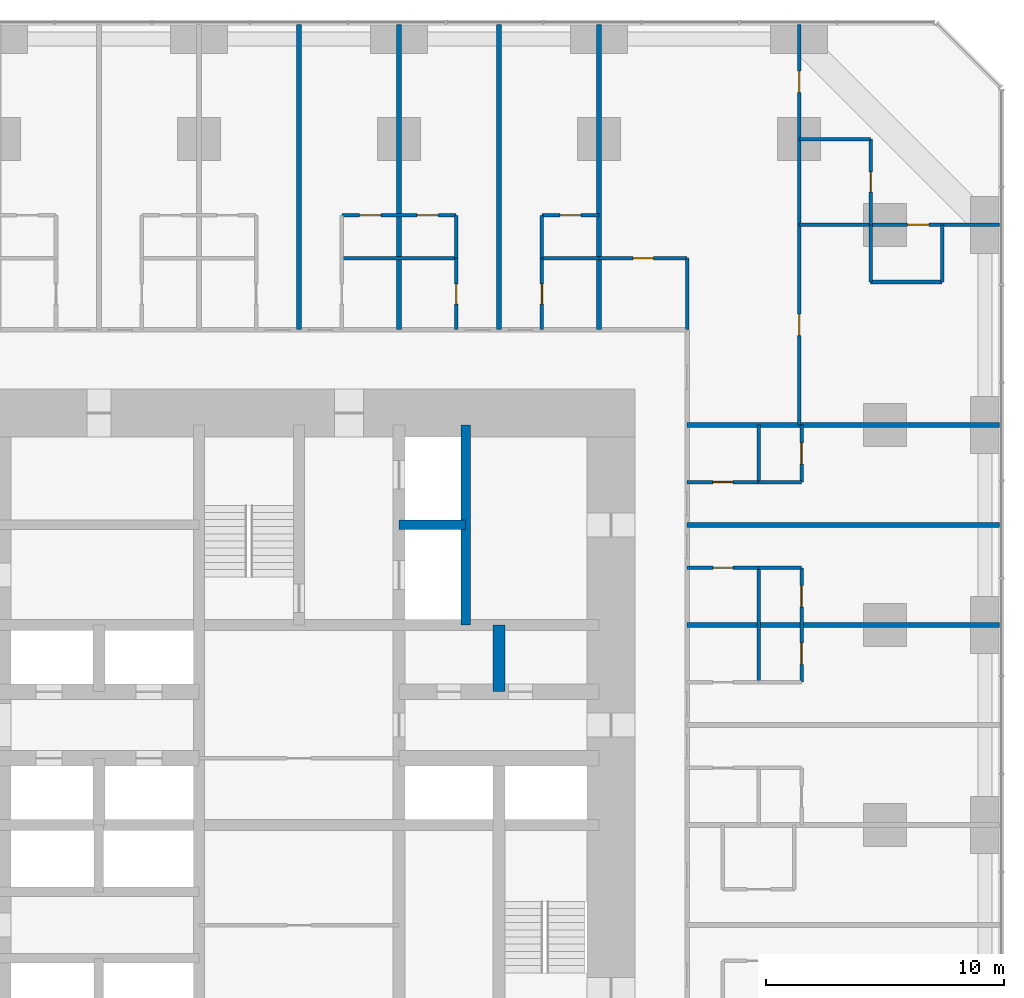
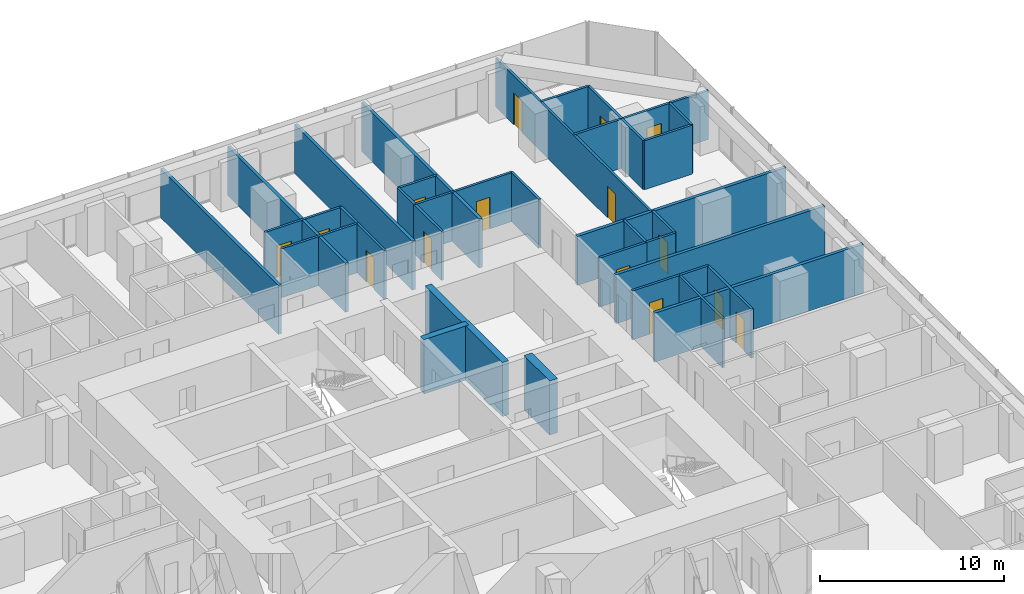
# One storey, part 16 of 18: 35 walls, 15 doors, 15 openings.
"""IFC4 building model written with IfcOpenShell, lengths in metres."""

from ifc_helpers import new_model, si_unit, direction, frame, frame_2d, origin, place, context, subcontext, project, spatial, rectangle, extrude, material, layer, layer_set, type_object, element, fill, save


model = new_model("IFC4")

# Units and contexts
model_context = context("Model", 3, precision=1e-05, world=origin(), true_north=direction((0.0, 1.0)))
body_context = subcontext(model_context, "Body", "Model", "MODEL_VIEW")
ifc_project = project(units=[si_unit("LENGTHUNIT", "METRE"), si_unit("AREAUNIT", "SQUARE_METRE"), si_unit("VOLUMEUNIT", "CUBIC_METRE"), si_unit("PLANEANGLEUNIT", "RADIAN"), si_unit("MASSUNIT", "GRAM", prefix="KILO")], contexts=[model_context])

# Site, building, storey
site_placement = place(None, origin())
site = spatial("IfcSite", under=ifc_project, at=site_placement, CompositionType="ELEMENT")
building_placement = place(site_placement, origin())
building = spatial("IfcBuilding", under=site, at=building_placement, Name="Dunama Terrace Hotel", CompositionType="ELEMENT")
storey_placement = place(building_placement, frame((0.0, 0.0, 27.0)))
storey = spatial("IfcBuildingStorey", under=building, at=storey_placement, Name="L05", CompositionType="ELEMENT", Elevation=27.0)

# Wall, opening, door
ifc_material_1 = material(Name="Gypsum board partition", Category="masonry")
ifc_layer_1 = layer(ifc_material_1, 0.14990234375)
ifc_layer_set_1 = layer_set([ifc_layer_1], Name="Bathroom partition 150")
wall_type_1 = type_object("IfcWallType", Name="Bathroom partition 150", PredefinedType="PARTITIONING", material=ifc_layer_set_1)
wall_1_placement = place(storey_placement, frame((36.0, 46.0, 0.0), z_axis=(0.0, 0.0, 1.0), x_axis=(0.0, 1.0, 0.0)))
wall_1 = element("IfcWall", 1, at=wall_1_placement, inside=storey, type_object=wall_type_1, Name="Bathroom partition 150 L05", PredefinedType="PARTITIONING", context=body_context, shape_type="SweptSolid", body=[
    extrude(rectangle(XDim=3.0, YDim=0.14990234375, at=frame_2d((1.5, 0.0))), origin(), (0.0, 0.0, 1.0), 3.25),
])
opening_1_placement = place(wall_1_placement, frame((1.074951171875, 0.0, 0.0)))
opening_1 = element("IfcOpeningElement", 2, at=opening_1_placement, cuts=wall_1, Name="Opening L05-056", PredefinedType="OPENING", context=body_context, shape_type="SweptSolid", body=[
    extrude(rectangle(XDim=0.85009765625, YDim=2.10009765625, at=frame_2d((0.425048828125, 1.050048828125))), frame((0.0, 0.0849609375, 0.0), z_axis=(0.0, -1.0, 0.0), x_axis=(1.0, 0.0, 0.0)), (0.0, 0.0, 1.0), 0.169921875),
])
ifc_material_2 = material(Name="Timber door with steel frame", Category="steel")
door_type_1 = type_object("IfcDoorType", Name="Bathroom door 850", OperationType="SINGLE_SWING_LEFT", PredefinedType="DOOR", material=ifc_material_2)
door_1_placement = place(opening_1_placement, origin())
door_1 = element("IfcDoor", 3, at=door_1_placement, inside=storey, type_object=door_type_1, Name="Door to en-suite bathroom L05-056, type D2", OperationType="SINGLE_SWING_LEFT", OverallHeight=2.10009765625, OverallWidth=0.85009765625, PredefinedType="DOOR", context=body_context, shape_type="SweptSolid", body=[
    extrude(rectangle(XDim=0.85009765625, YDim=2.10009765625, at=frame_2d((0.425048828125, 1.050048828125))), frame((0.0, 0.02490234375, 0.0), z_axis=(0.0, -1.0, 0.0), x_axis=(1.0, 0.0, 0.0)), (0.0, 0.0, 1.0), 0.050048828125),
])
fill(opening_1, door_1)

wall_2_placement = place(storey_placement, frame((39.60009765625, 46.0, 0.0), z_axis=(0.0, 0.0, 1.0), x_axis=(0.0, 1.0, 0.0)))
wall_2 = element("IfcWall", 4, at=wall_2_placement, inside=storey, type_object=wall_type_1, Name="Bathroom partition 150 L05", PredefinedType="PARTITIONING", context=body_context, shape_type="SweptSolid", body=[
    extrude(rectangle(XDim=3.0, YDim=0.14990234375, at=frame_2d((1.5, 0.0))), origin(), (0.0, 0.0, 1.0), 3.25),
])
opening_2_placement = place(wall_2_placement, frame((1.074951171875, 0.0, 0.0)))
opening_2 = element("IfcOpeningElement", 5, at=opening_2_placement, cuts=wall_2, Name="Opening L05-059", PredefinedType="OPENING", context=body_context, shape_type="SweptSolid", body=[
    extrude(rectangle(XDim=0.85009765625, YDim=2.10009765625, at=frame_2d((0.425048828125, 1.050048828125))), frame((0.0, 0.0849609375, 0.0), z_axis=(0.0, -1.0, 0.0), x_axis=(1.0, 0.0, 0.0)), (0.0, 0.0, 1.0), 0.169921875),
])
door_2_placement = place(opening_2_placement, frame((0.85009765625, 0.0, 0.0), z_axis=(0.0, 0.0, 1.0), x_axis=(-1.0, 0.0, 0.0)))
door_2 = element("IfcDoor", 6, at=door_2_placement, inside=storey, type_object=door_type_1, Name="Door to en-suite bathroom L05-059, type D2", OperationType="SINGLE_SWING_RIGHT", OverallHeight=2.10009765625, OverallWidth=0.85009765625, PredefinedType="DOOR", context=body_context, shape_type="SweptSolid", body=[
    extrude(rectangle(XDim=0.85009765625, YDim=2.10009765625, at=frame_2d((0.425048828125, 1.050048828125))), frame((0.0, 0.025146484375, 0.0), z_axis=(0.0, -1.0, 0.0), x_axis=(1.0, 0.0, 0.0)), (0.0, 0.0, 1.0), 0.050048828125),
])
fill(opening_2, door_2)

# Wall
wall_3_placement = place(storey_placement, frame((45.699951171875, 46.0, 0.0), z_axis=(0.0, 0.0, 1.0), x_axis=(0.0, 1.0, 0.0)))
element("IfcWall", 7, at=wall_3_placement, inside=storey, type_object=wall_type_1, Name="Bathroom partition 150 L05", PredefinedType="PARTITIONING", context=body_context, shape_type="SweptSolid", body=[
    extrude(rectangle(XDim=3.0, YDim=0.14990234375, at=frame_2d((1.5, 0.0))), origin(), (0.0, 0.0, 1.0), 3.25),
])

# Wall, opening, door
wall_4_placement = place(storey_placement, frame((53.39990234375, 50.39990234375, 0.0), z_axis=(0.0, 0.0, 1.0), x_axis=(0.0, 1.0, 0.0)))
wall_4 = element("IfcWall", 8, at=wall_4_placement, inside=storey, type_object=wall_type_1, Name="Bathroom partition 150 L05", PredefinedType="PARTITIONING", context=body_context, shape_type="SweptSolid", body=[
    extrude(rectangle(XDim=3.60009765625, YDim=0.14990234375, at=frame_2d((1.800048828125, 0.0))), origin(), (0.0, 0.0, 1.0), 3.25),
])
opening_3_placement = place(wall_4_placement, frame((1.375, 0.0, 0.0)))
opening_3 = element("IfcOpeningElement", 9, at=opening_3_placement, cuts=wall_4, Name="Opening L05-089", PredefinedType="OPENING", context=body_context, shape_type="SweptSolid", body=[
    extrude(rectangle(XDim=0.85009765625, YDim=2.10009765625, at=frame_2d((0.425048828125, 1.050048828125))), frame((0.0, 0.0849609375, 0.0), z_axis=(0.0, -1.0, 0.0), x_axis=(1.0, 0.0, 0.0)), (0.0, 0.0, 1.0), 0.169921875),
])
door_3_placement = place(opening_3_placement, origin())
door_3 = element("IfcDoor", 10, at=door_3_placement, inside=storey, type_object=door_type_1, Name="Door to en-suite bathroom L05-089, type D2", OperationType="SINGLE_SWING_LEFT", OverallHeight=2.10009765625, OverallWidth=0.85009765625, PredefinedType="DOOR", context=body_context, shape_type="SweptSolid", body=[
    extrude(rectangle(XDim=0.85009765625, YDim=2.10009765625, at=frame_2d((0.425048828125, 1.050048828125))), frame((0.0, 0.02490234375, 0.0), z_axis=(0.0, -1.0, 0.0), x_axis=(1.0, 0.0, 0.0)), (0.0, 0.0, 1.0), 0.050048828125),
])
fill(opening_3, door_3)

wall_5_placement = place(storey_placement, frame((45.699951171875, 36.0, 0.0), z_axis=(0.0, 0.0, 1.0), x_axis=(1.0, 0.0, 0.0)))
wall_5 = element("IfcWall", 11, at=wall_5_placement, inside=storey, type_object=wall_type_1, Name="Bathroom partition 150 L05", PredefinedType="PARTITIONING", context=body_context, shape_type="SweptSolid", body=[
    extrude(rectangle(XDim=3.0, YDim=0.14990234375, at=frame_2d((1.5, 0.0))), origin(), (0.0, 0.0, 1.0), 3.25),
])
opening_4_placement = place(wall_5_placement, frame((1.074951171875, 0.0, 0.0)))
opening_4 = element("IfcOpeningElement", 12, at=opening_4_placement, cuts=wall_5, Name="Opening L05-038", PredefinedType="OPENING", context=body_context, shape_type="SweptSolid", body=[
    extrude(rectangle(XDim=0.85009765625, YDim=2.10009765625, at=frame_2d((0.425048828125, 1.050048828125))), frame((0.0, 0.0849609375, 0.0), z_axis=(0.0, -1.0, 0.0), x_axis=(1.0, 0.0, 0.0)), (0.0, 0.0, 1.0), 0.169921875),
])
door_4_placement = place(opening_4_placement, frame((0.85009765625, 0.0, 0.0), z_axis=(0.0, 0.0, 1.0), x_axis=(-1.0, 0.0, 0.0)))
door_4 = element("IfcDoor", 13, at=door_4_placement, inside=storey, type_object=door_type_1, Name="Door to en-suite bathroom L05-038, type D2", OperationType="SINGLE_SWING_RIGHT", OverallHeight=2.10009765625, OverallWidth=0.85009765625, PredefinedType="DOOR", context=body_context, shape_type="SweptSolid", body=[
    extrude(rectangle(XDim=0.85009765625, YDim=2.10009765625, at=frame_2d((0.425048828125, 1.050048828125))), frame((0.0, 0.025146484375, 0.0), z_axis=(0.0, -1.0, 0.0), x_axis=(1.0, 0.0, 0.0)), (0.0, 0.0, 1.0), 0.050048828125),
])
fill(opening_4, door_4)

wall_6_placement = place(storey_placement, frame((45.699951171875, 39.60009765625, 0.0), z_axis=(0.0, 0.0, 1.0), x_axis=(1.0, 0.0, 0.0)))
wall_6 = element("IfcWall", 14, at=wall_6_placement, inside=storey, type_object=wall_type_1, Name="Bathroom partition 150 L05", PredefinedType="PARTITIONING", context=body_context, shape_type="SweptSolid", body=[
    extrude(rectangle(XDim=3.0, YDim=0.14990234375, at=frame_2d((1.5, 0.0))), origin(), (0.0, 0.0, 1.0), 3.25),
])
opening_5_placement = place(wall_6_placement, frame((1.074951171875, 0.0, 0.0)))
opening_5 = element("IfcOpeningElement", 15, at=opening_5_placement, cuts=wall_6, Name="Opening L05-041", PredefinedType="OPENING", context=body_context, shape_type="SweptSolid", body=[
    extrude(rectangle(XDim=0.85009765625, YDim=2.10009765625, at=frame_2d((0.425048828125, 1.050048828125))), frame((0.0, 0.0849609375, 0.0), z_axis=(0.0, -1.0, 0.0), x_axis=(1.0, 0.0, 0.0)), (0.0, 0.0, 1.0), 0.169921875),
])
door_5_placement = place(opening_5_placement, origin())
door_5 = element("IfcDoor", 16, at=door_5_placement, inside=storey, type_object=door_type_1, Name="Door to en-suite bathroom L05-041, type D2", OperationType="SINGLE_SWING_LEFT", OverallHeight=2.10009765625, OverallWidth=0.85009765625, PredefinedType="DOOR", context=body_context, shape_type="SweptSolid", body=[
    extrude(rectangle(XDim=0.85009765625, YDim=2.10009765625, at=frame_2d((0.425048828125, 1.050048828125))), frame((0.0, 0.02490234375, 0.0), z_axis=(0.0, -1.0, 0.0), x_axis=(1.0, 0.0, 0.0)), (0.0, 0.0, 1.0), 0.050048828125),
])
fill(opening_5, door_5)

wall_7_placement = place(storey_placement, frame((42.0, 49.0, 0.0), z_axis=(0.0, 0.0, 1.0), x_axis=(1.0, 0.0, 0.0)))
wall_7 = element("IfcWall", 17, at=wall_7_placement, inside=storey, type_object=wall_type_1, Name="Bathroom partition 150 L05", PredefinedType="PARTITIONING", context=body_context, shape_type="SweptSolid", body=[
    extrude(rectangle(XDim=3.699951171875, YDim=0.14990234375, at=frame_2d((1.85009765625, 0.0))), origin(), (0.0, 0.0, 1.0), 3.25),
])
opening_6_placement = place(wall_7_placement, frame((1.425048828125, 0.0, 0.0)))
opening_6 = element("IfcOpeningElement", 18, at=opening_6_placement, cuts=wall_7, Name="Opening L05-087", PredefinedType="OPENING", context=body_context, shape_type="SweptSolid", body=[
    extrude(rectangle(XDim=0.85009765625, YDim=2.10009765625, at=frame_2d((0.425048828125, 1.050048828125))), frame((0.0, 0.0849609375, 0.0), z_axis=(0.0, -1.0, 0.0), x_axis=(1.0, 0.0, 0.0)), (0.0, 0.0, 1.0), 0.169921875),
])
door_6_placement = place(opening_6_placement, frame((0.85009765625, 0.0, 0.0), z_axis=(0.0, 0.0, 1.0), x_axis=(-1.0, 0.0, 0.0)))
door_6 = element("IfcDoor", 19, at=door_6_placement, inside=storey, type_object=door_type_1, Name="Door to powder room L05-087, type D2", OperationType="SINGLE_SWING_RIGHT", OverallHeight=2.10009765625, OverallWidth=0.85009765625, PredefinedType="DOOR", context=body_context, shape_type="SweptSolid", body=[
    extrude(rectangle(XDim=0.85009765625, YDim=2.10009765625, at=frame_2d((0.425048828125, 1.050048828125))), frame((0.0, 0.025146484375, 0.0), z_axis=(0.0, -1.0, 0.0), x_axis=(1.0, 0.0, 0.0)), (0.0, 0.0, 1.0), 0.050048828125),
])
fill(opening_6, door_6)

# Walls
wall_8_placement = place(storey_placement, frame((50.39990234375, 54.0, 0.0), z_axis=(0.0, 0.0, 1.0), x_axis=(1.0, 0.0, 0.0)))
element("IfcWall", 20, at=wall_8_placement, inside=storey, type_object=wall_type_1, Name="Bathroom partition 150 L05", PredefinedType="PARTITIONING", context=body_context, shape_type="SweptSolid", body=[
    extrude(rectangle(XDim=3.0, YDim=0.14990234375, at=frame_2d((1.5, 0.0))), origin(), (0.0, 0.0, 1.0), 3.25),
])
ifc_material_3 = material(Name="Concrete C50/60", Category="concrete")
ifc_layer_2 = layer(ifc_material_3, 0.39990234375)
ifc_layer_set_2 = layer_set([ifc_layer_2], Name="Core inner wall 400")
wall_type_2 = type_object("IfcWallType", Name="Core inner wall 400", PredefinedType="SHEAR", material=ifc_layer_set_2)
wall_9_placement = place(storey_placement, frame((36.39990234375, 33.60009765625, -0.35009765625), z_axis=(0.0, 0.0, 1.0), x_axis=(0.0, 1.0, 0.0)))
element("IfcWall", 21, at=wall_9_placement, inside=storey, type_object=wall_type_2, Name="Core inner wall 400 L05", PredefinedType="SHEAR", context=body_context, shape_type="SweptSolid", body=[
    extrude(rectangle(XDim=8.39990234375, YDim=0.39990234375, at=frame_2d((4.199951171875, 0.0))), origin(), (0.0, 0.0, 1.0), 3.60009765625),
])
wall_10_placement = place(storey_placement, frame((33.60009765625, 37.800048828125, -0.35009765625), z_axis=(0.0, 0.0, 1.0), x_axis=(1.0, 0.0, 0.0)))
element("IfcWall", 22, at=wall_10_placement, inside=storey, type_object=wall_type_2, Name="Core inner wall 400 L05", PredefinedType="SHEAR", context=body_context, shape_type="SweptSolid", body=[
    extrude(rectangle(XDim=2.7998046875, YDim=0.39990234375, at=frame_2d((1.39990234375, 0.0))), origin(), (0.0, 0.0, 1.0), 3.60009765625),
])
ifc_material_4 = material(Name="Concrete C50/60", Category="concrete")
ifc_layer_3 = layer(ifc_material_4, 0.5)
ifc_layer_set_3 = layer_set([ifc_layer_3], Name="Core inner wall 500")
wall_type_3 = type_object("IfcWallType", Name="Core inner wall 500", PredefinedType="SHEAR", material=ifc_layer_set_3)
wall_11_placement = place(storey_placement, frame((37.800048828125, 30.800048828125, -0.35009765625), z_axis=(0.0, 0.0, 1.0), x_axis=(0.0, 1.0, 0.0)))
element("IfcWall", 23, at=wall_11_placement, inside=storey, type_object=wall_type_3, Name="Core inner wall 500 L05", PredefinedType="SHEAR", context=body_context, shape_type="SweptSolid", body=[
    extrude(rectangle(XDim=2.800048828125, YDim=0.5, at=frame_2d((1.39990234375, 0.0))), origin(), (0.0, 0.0, 1.0), 3.60009765625),
])
ifc_material_5 = material(Name="Concrete blockwork", Category="masonry")
ifc_layer_4 = layer(ifc_material_5, 0.199951171875)
ifc_layer_set_4 = layer_set([ifc_layer_4], Name="Party wall 200")
wall_type_4 = type_object("IfcWallType", Name="Party wall 200", PredefinedType="PARTITIONING", material=ifc_layer_set_4)
for number, where, z_axis, x_axis, name in (
    (24, (29.39990234375, 46.0, 0.0), (0.0, 0.0, 1.0), (0.0, 1.0, 0.0), "Party wall 200 L05"),
    (25, (33.60009765625, 46.0, 0.0), (0.0, 0.0, 1.0), (0.0, 1.0, 0.0), "Party wall 200 L05"),
    (26, (37.800048828125, 46.0, 0.0), (0.0, 0.0, 1.0), (0.0, 1.0, 0.0), "Party wall 200 L05"),
    (27, (42.0, 46.0, 0.0), (0.0, 0.0, 1.0), (0.0, 1.0, 0.0), "Party wall 200 L05"),
):
    element("IfcWall", number, at=place(storey_placement, frame(where, z_axis=z_axis, x_axis=x_axis)), inside=storey, type_object=wall_type_4, Name=name, PredefinedType="PARTITIONING", context=body_context, shape_type="SweptSolid", body=[
        extrude(rectangle(XDim=12.80810546875, YDim=0.199951171875, at=frame_2d((6.404052734375, 0.0))), origin(), (0.0, 0.0, 1.0), 3.25),
    ])
for number, where, z_axis, x_axis, name in (
    (28, (45.699951171875, 33.60009765625, 0.0), (0.0, 0.0, 1.0), (1.0, 0.0, 0.0), "Party wall 200 L05"),
    (29, (45.699951171875, 37.800048828125, 0.0), (0.0, 0.0, 1.0), (1.0, 0.0, 0.0), "Party wall 200 L05"),
    (30, (45.699951171875, 42.0, 0.0), (0.0, 0.0, 1.0), (1.0, 0.0, 0.0), "Party wall 200 L05"),
):
    element("IfcWall", number, at=place(storey_placement, frame(where, z_axis=z_axis, x_axis=x_axis)), inside=storey, type_object=wall_type_4, Name=name, PredefinedType="PARTITIONING", context=body_context, shape_type="SweptSolid", body=[
        extrude(rectangle(XDim=13.108154296875, YDim=0.199951171875, at=frame_2d((6.55419921875, 0.0))), origin(), (0.0, 0.0, 1.0), 3.25),
    ])
ifc_material_6 = material(Name="Gypsum board partition", Category="masonry")
ifc_layer_5 = layer(ifc_material_6, 0.14990234375)
ifc_layer_set_5 = layer_set([ifc_layer_5], Name="Room partition 150")
wall_type_5 = type_object("IfcWallType", Name="Room partition 150", PredefinedType="PARTITIONING", material=ifc_layer_set_5)
for number, where, z_axis, x_axis, name in (
    (31, (36.0, 49.0, 0.0), (0.0, 0.0, 1.0), (0.0, 1.0, 0.0), "Room partition 150 L05"),
    (32, (39.60009765625, 49.0, 0.0), (0.0, 0.0, 1.0), (0.0, 1.0, 0.0), "Room partition 150 L05"),
):
    element("IfcWall", number, at=place(storey_placement, frame(where, z_axis=z_axis, x_axis=x_axis)), inside=storey, type_object=wall_type_5, Name=name, PredefinedType="PARTITIONING", context=body_context, shape_type="SweptSolid", body=[
        extrude(rectangle(XDim=1.800048828125, YDim=0.14990234375, at=frame_2d((0.89990234375, 0.0))), origin(), (0.0, 0.0, 1.0), 3.25),
    ])
wall_12_placement = place(storey_placement, frame((48.699951171875, 31.199951171875, 0.0), z_axis=(0.0, 0.0, 1.0), x_axis=(0.0, 1.0, 0.0)))
element("IfcWall", 33, at=wall_12_placement, inside=storey, type_object=wall_type_5, Name="Room partition 150 L05", PredefinedType="PARTITIONING", context=body_context, shape_type="SweptSolid", body=[
    extrude(rectangle(XDim=4.800048828125, YDim=0.14990234375, at=frame_2d((2.39990234375, 0.0))), origin(), (0.0, 0.0, 1.0), 3.25),
])
wall_13_placement = place(storey_placement, frame((48.699951171875, 39.60009765625, 0.0), z_axis=(0.0, 0.0, 1.0), x_axis=(0.0, 1.0, 0.0)))
element("IfcWall", 34, at=wall_13_placement, inside=storey, type_object=wall_type_5, Name="Room partition 150 L05", PredefinedType="PARTITIONING", context=body_context, shape_type="SweptSolid", body=[
    extrude(rectangle(XDim=2.39990234375, YDim=0.14990234375, at=frame_2d((1.199951171875, 0.0))), origin(), (0.0, 0.0, 1.0), 3.25),
])

# Wall, openings, doors
wall_14_placement = place(storey_placement, frame((50.39990234375, 42.0, 0.0), z_axis=(0.0, 0.0, 1.0), x_axis=(0.0, 1.0, 0.0)))
wall_14 = element("IfcWall", 35, at=wall_14_placement, inside=storey, type_object=wall_type_5, Name="Room partition 150 L05", PredefinedType="PARTITIONING", context=body_context, shape_type="SweptSolid", body=[
    extrude(rectangle(XDim=16.80810546875, YDim=0.14990234375, at=frame_2d((8.404052734375, 0.0))), origin(), (0.0, 0.0, 1.0), 3.25),
])
opening_7_placement = place(wall_14_placement, frame((13.949951171875, 0.0, 0.0)))
opening_7 = element("IfcOpeningElement", 36, at=opening_7_placement, cuts=wall_14, Name="Opening L05-088", PredefinedType="OPENING", context=body_context, shape_type="SweptSolid", body=[
    extrude(rectangle(XDim=0.89990234375, YDim=2.10009765625, at=frame_2d((0.449951171875, 1.050048828125))), frame((0.0, 0.0849609375, 0.0), z_axis=(0.0, -1.0, 0.0), x_axis=(1.0, 0.0, 0.0)), (0.0, 0.0, 1.0), 0.169921875),
])
opening_8_placement = place(wall_14_placement, frame((3.75, 0.0, 0.0)))
opening_8 = element("IfcOpeningElement", 37, at=opening_8_placement, cuts=wall_14, Name="Opening L05-091", PredefinedType="OPENING", context=body_context, shape_type="SweptSolid", body=[
    extrude(rectangle(XDim=0.89990234375, YDim=2.10009765625, at=frame_2d((0.449951171875, 1.050048828125))), frame((0.0, 0.0849609375, 0.0), z_axis=(0.0, -1.0, 0.0), x_axis=(1.0, 0.0, 0.0)), (0.0, 0.0, 1.0), 0.169921875),
])
ifc_material_7 = material(Name="Timber door with steel frame", Category="steel")
door_type_2 = type_object("IfcDoorType", Name="Suite internal door 900", OperationType="SINGLE_SWING_LEFT", PredefinedType="DOOR", material=ifc_material_7)
door_7_placement = place(opening_7_placement, frame((0.89990234375, 0.0, 0.0), z_axis=(0.0, 0.0, 1.0), x_axis=(-1.0, 0.0, 0.0)))
door_7 = element("IfcDoor", 38, at=door_7_placement, inside=storey, type_object=door_type_2, Name="Door to corner suite bedroom L05-088, type D16", OperationType="SINGLE_SWING_LEFT", OverallHeight=2.10009765625, OverallWidth=0.89990234375, PredefinedType="DOOR", context=body_context, shape_type="SweptSolid", body=[
    extrude(rectangle(XDim=0.89990234375, YDim=2.10009765625, at=frame_2d((0.449951171875, 1.050048828125))), frame((0.0, 0.025146484375, 0.0), z_axis=(0.0, -1.0, 0.0), x_axis=(1.0, 0.0, 0.0)), (0.0, 0.0, 1.0), 0.050048828125),
])
fill(opening_7, door_7)
door_8_placement = place(opening_8_placement, frame((0.89990234375, 0.0, 0.0), z_axis=(0.0, 0.0, 1.0), x_axis=(-1.0, 0.0, 0.0)))
door_8 = element("IfcDoor", 39, at=door_8_placement, inside=storey, type_object=door_type_2, Name="Door to corner suite study L05-091, type D16", OperationType="SINGLE_SWING_LEFT", OverallHeight=2.10009765625, OverallWidth=0.89990234375, PredefinedType="DOOR", context=body_context, shape_type="SweptSolid", body=[
    extrude(rectangle(XDim=0.89990234375, YDim=2.10009765625, at=frame_2d((0.449951171875, 1.050048828125))), frame((0.0, 0.025146484375, 0.0), z_axis=(0.0, -1.0, 0.0), x_axis=(1.0, 0.0, 0.0)), (0.0, 0.0, 1.0), 0.050048828125),
])
fill(opening_8, door_8)

wall_15_placement = place(storey_placement, frame((50.5, 31.199951171875, 0.0), z_axis=(0.0, 0.0, 1.0), x_axis=(0.0, 1.0, 0.0)))
wall_15 = element("IfcWall", 40, at=wall_15_placement, inside=storey, type_object=wall_type_5, Name="Room partition 150 L05", PredefinedType="PARTITIONING", context=body_context, shape_type="SweptSolid", body=[
    extrude(rectangle(XDim=4.800048828125, YDim=0.14990234375, at=frame_2d((2.39990234375, 0.0))), origin(), (0.0, 0.0, 1.0), 3.25),
])
opening_9_placement = place(wall_15_placement, frame((0.75, 0.0, 0.0)))
opening_9 = element("IfcOpeningElement", 41, at=opening_9_placement, cuts=wall_15, Name="Opening L05-036", PredefinedType="OPENING", context=body_context, shape_type="SweptSolid", body=[
    extrude(rectangle(XDim=0.89990234375, YDim=2.10009765625, at=frame_2d((0.449951171875, 1.050048828125))), frame((0.0, 0.0849609375, 0.0), z_axis=(0.0, -1.0, 0.0), x_axis=(1.0, 0.0, 0.0)), (0.0, 0.0, 1.0), 0.169921875),
])
opening_10_placement = place(wall_15_placement, frame((3.14990234375, 0.0, 0.0)))
opening_10 = element("IfcOpeningElement", 42, at=opening_10_placement, cuts=wall_15, Name="Opening L05-039", PredefinedType="OPENING", context=body_context, shape_type="SweptSolid", body=[
    extrude(rectangle(XDim=0.89990234375, YDim=2.10009765625, at=frame_2d((0.449951171875, 1.050048828125))), frame((0.0, 0.0849609375, 0.0), z_axis=(0.0, -1.0, 0.0), x_axis=(1.0, 0.0, 0.0)), (0.0, 0.0, 1.0), 0.169921875),
])
door_9_placement = place(opening_9_placement, origin())
door_9 = element("IfcDoor", 43, at=door_9_placement, inside=storey, type_object=door_type_2, Name="Door to walk-in wardrobe L05-036, type D16", OperationType="SINGLE_SWING_RIGHT", OverallHeight=2.10009765625, OverallWidth=0.89990234375, PredefinedType="DOOR", context=body_context, shape_type="SweptSolid", body=[
    extrude(rectangle(XDim=0.89990234375, YDim=2.10009765625, at=frame_2d((0.449951171875, 1.050048828125))), frame((0.0, 0.02490234375, 0.0), z_axis=(0.0, -1.0, 0.0), x_axis=(1.0, 0.0, 0.0)), (0.0, 0.0, 1.0), 0.050048828125),
])
fill(opening_9, door_9)
door_10_placement = place(opening_10_placement, origin())
door_10 = element("IfcDoor", 44, at=door_10_placement, inside=storey, type_object=door_type_2, Name="Door to walk-in wardrobe L05-039, type D16", OperationType="SINGLE_SWING_LEFT", OverallHeight=2.10009765625, OverallWidth=0.89990234375, PredefinedType="DOOR", context=body_context, shape_type="SweptSolid", body=[
    extrude(rectangle(XDim=0.89990234375, YDim=2.10009765625, at=frame_2d((0.449951171875, 1.050048828125))), frame((0.0, 0.02490234375, 0.0), z_axis=(0.0, -1.0, 0.0), x_axis=(1.0, 0.0, 0.0)), (0.0, 0.0, 1.0), 0.050048828125),
])
fill(opening_10, door_10)

# Wall, opening, door
wall_16_placement = place(storey_placement, frame((50.5, 39.60009765625, 0.0), z_axis=(0.0, 0.0, 1.0), x_axis=(0.0, 1.0, 0.0)))
wall_16 = element("IfcWall", 45, at=wall_16_placement, inside=storey, type_object=wall_type_5, Name="Room partition 150 L05", PredefinedType="PARTITIONING", context=body_context, shape_type="SweptSolid", body=[
    extrude(rectangle(XDim=2.39990234375, YDim=0.14990234375, at=frame_2d((1.199951171875, 0.0))), origin(), (0.0, 0.0, 1.0), 3.25),
])
opening_11_placement = place(wall_16_placement, frame((0.75, 0.0, 0.0)))
opening_11 = element("IfcOpeningElement", 46, at=opening_11_placement, cuts=wall_16, Name="Opening L05-042", PredefinedType="OPENING", context=body_context, shape_type="SweptSolid", body=[
    extrude(rectangle(XDim=0.89990234375, YDim=2.10009765625, at=frame_2d((0.449951171875, 1.050048828125))), frame((0.0, 0.0849609375, 0.0), z_axis=(0.0, -1.0, 0.0), x_axis=(1.0, 0.0, 0.0)), (0.0, 0.0, 1.0), 0.169921875),
])
door_11_placement = place(opening_11_placement, origin())
door_11 = element("IfcDoor", 47, at=door_11_placement, inside=storey, type_object=door_type_2, Name="Door to walk-in wardrobe L05-042, type D16", OperationType="SINGLE_SWING_RIGHT", OverallHeight=2.10009765625, OverallWidth=0.89990234375, PredefinedType="DOOR", context=body_context, shape_type="SweptSolid", body=[
    extrude(rectangle(XDim=0.89990234375, YDim=2.10009765625, at=frame_2d((0.449951171875, 1.050048828125))), frame((0.0, 0.02490234375, 0.0), z_axis=(0.0, -1.0, 0.0), x_axis=(1.0, 0.0, 0.0)), (0.0, 0.0, 1.0), 0.050048828125),
])
fill(opening_11, door_11)

# Walls
for number, where, z_axis, x_axis, name in (
    (48, (53.39990234375, 48.0, 0.0), (0.0, 0.0, 1.0), (0.0, 1.0, 0.0), "Room partition 150 L05"),
    (49, (56.39990234375, 48.0, 0.0), (0.0, 0.0, 1.0), (0.0, 1.0, 0.0), "Room partition 150 L05"),
):
    element("IfcWall", number, at=place(storey_placement, frame(where, z_axis=z_axis, x_axis=x_axis)), inside=storey, type_object=wall_type_5, Name=name, PredefinedType="PARTITIONING", context=body_context, shape_type="SweptSolid", body=[
        extrude(rectangle(XDim=2.39990234375, YDim=0.14990234375, at=frame_2d((1.199951171875, 0.0))), origin(), (0.0, 0.0, 1.0), 3.25),
    ])
for number, where, z_axis, x_axis, name in (
    (50, (48.699951171875, 36.0, 0.0), (0.0, 0.0, 1.0), (1.0, 0.0, 0.0), "Room partition 150 L05"),
    (51, (48.699951171875, 39.60009765625, 0.0), (0.0, 0.0, 1.0), (1.0, 0.0, 0.0), "Room partition 150 L05"),
):
    element("IfcWall", number, at=place(storey_placement, frame(where, z_axis=z_axis, x_axis=x_axis)), inside=storey, type_object=wall_type_5, Name=name, PredefinedType="PARTITIONING", context=body_context, shape_type="SweptSolid", body=[
        extrude(rectangle(XDim=1.800048828125, YDim=0.14990234375, at=frame_2d((0.89990234375, 0.0))), origin(), (0.0, 0.0, 1.0), 3.25),
    ])
wall_17_placement = place(storey_placement, frame((53.39990234375, 48.0, 0.0), z_axis=(0.0, 0.0, 1.0), x_axis=(1.0, 0.0, 0.0)))
element("IfcWall", 52, at=wall_17_placement, inside=storey, type_object=wall_type_5, Name="Room partition 150 L05", PredefinedType="PARTITIONING", context=body_context, shape_type="SweptSolid", body=[
    extrude(rectangle(XDim=3.0, YDim=0.14990234375, at=frame_2d((1.5, 0.0))), origin(), (0.0, 0.0, 1.0), 3.25),
])
wall_18_placement = place(storey_placement, frame((31.199951171875, 49.0, 0.0), z_axis=(0.0, 0.0, 1.0), x_axis=(1.0, 0.0, 0.0)))
element("IfcWall", 53, at=wall_18_placement, inside=storey, type_object=wall_type_5, Name="Room partition 150 L05", PredefinedType="PARTITIONING", context=body_context, shape_type="SweptSolid", body=[
    extrude(rectangle(XDim=4.800048828125, YDim=0.14990234375, at=frame_2d((2.39990234375, 0.0))), origin(), (0.0, 0.0, 1.0), 3.25),
])
wall_19_placement = place(storey_placement, frame((39.60009765625, 49.0, 0.0), z_axis=(0.0, 0.0, 1.0), x_axis=(1.0, 0.0, 0.0)))
element("IfcWall", 54, at=wall_19_placement, inside=storey, type_object=wall_type_5, Name="Room partition 150 L05", PredefinedType="PARTITIONING", context=body_context, shape_type="SweptSolid", body=[
    extrude(rectangle(XDim=2.39990234375, YDim=0.14990234375, at=frame_2d((1.199951171875, 0.0))), origin(), (0.0, 0.0, 1.0), 3.25),
])

# Wall, opening, door
wall_20_placement = place(storey_placement, frame((50.39990234375, 50.39990234375, 0.0), z_axis=(0.0, 0.0, 1.0), x_axis=(1.0, 0.0, 0.0)))
wall_20 = element("IfcWall", 55, at=wall_20_placement, inside=storey, type_object=wall_type_5, Name="Room partition 150 L05", PredefinedType="PARTITIONING", context=body_context, shape_type="SweptSolid", body=[
    extrude(rectangle(XDim=8.408203125, YDim=0.14990234375, at=frame_2d((4.2041015625, 0.0))), origin(), (0.0, 0.0, 1.0), 3.25),
])
opening_12_placement = place(wall_20_placement, frame((4.550048828125, 0.0, 0.0)))
opening_12 = element("IfcOpeningElement", 56, at=opening_12_placement, cuts=wall_20, Name="Opening L05-090", PredefinedType="OPENING", context=body_context, shape_type="SweptSolid", body=[
    extrude(rectangle(XDim=0.89990234375, YDim=2.10009765625, at=frame_2d((0.449951171875, 1.050048828125))), frame((0.0, 0.0849609375, 0.0), z_axis=(0.0, -1.0, 0.0), x_axis=(1.0, 0.0, 0.0)), (0.0, 0.0, 1.0), 0.169921875),
])
door_12_placement = place(opening_12_placement, frame((0.89990234375, 0.0, 0.0), z_axis=(0.0, 0.0, 1.0), x_axis=(-1.0, 0.0, 0.0)))
door_12 = element("IfcDoor", 57, at=door_12_placement, inside=storey, type_object=door_type_2, Name="Door to dressing room L05-090, type D16", OperationType="SINGLE_SWING_RIGHT", OverallHeight=2.10009765625, OverallWidth=0.89990234375, PredefinedType="DOOR", context=body_context, shape_type="SweptSolid", body=[
    extrude(rectangle(XDim=0.89990234375, YDim=2.10009765625, at=frame_2d((0.449951171875, 1.050048828125))), frame((0.0, 0.025146484375, 0.0), z_axis=(0.0, -1.0, 0.0), x_axis=(1.0, 0.0, 0.0)), (0.0, 0.0, 1.0), 0.050048828125),
])
fill(opening_12, door_12)

# Wall, openings, doors
wall_21_placement = place(storey_placement, frame((31.199951171875, 50.800048828125, 0.0), z_axis=(0.0, 0.0, 1.0), x_axis=(1.0, 0.0, 0.0)))
wall_21 = element("IfcWall", 58, at=wall_21_placement, inside=storey, type_object=wall_type_5, Name="Room partition 150 L05", PredefinedType="PARTITIONING", context=body_context, shape_type="SweptSolid", body=[
    extrude(rectangle(XDim=4.800048828125, YDim=0.14990234375, at=frame_2d((2.39990234375, 0.0))), origin(), (0.0, 0.0, 1.0), 3.25),
])
opening_13_placement = place(wall_21_placement, frame((0.75, 0.0, 0.0)))
opening_13 = element("IfcOpeningElement", 59, at=opening_13_placement, cuts=wall_21, Name="Opening L05-054", PredefinedType="OPENING", context=body_context, shape_type="SweptSolid", body=[
    extrude(rectangle(XDim=0.89990234375, YDim=2.10009765625, at=frame_2d((0.449951171875, 1.050048828125))), frame((0.0, 0.0849609375, 0.0), z_axis=(0.0, -1.0, 0.0), x_axis=(1.0, 0.0, 0.0)), (0.0, 0.0, 1.0), 0.169921875),
])
opening_14_placement = place(wall_21_placement, frame((3.14990234375, 0.0, 0.0)))
opening_14 = element("IfcOpeningElement", 60, at=opening_14_placement, cuts=wall_21, Name="Opening L05-057", PredefinedType="OPENING", context=body_context, shape_type="SweptSolid", body=[
    extrude(rectangle(XDim=0.89990234375, YDim=2.10009765625, at=frame_2d((0.449951171875, 1.050048828125))), frame((0.0, 0.0849609375, 0.0), z_axis=(0.0, -1.0, 0.0), x_axis=(1.0, 0.0, 0.0)), (0.0, 0.0, 1.0), 0.169921875),
])
door_13_placement = place(opening_13_placement, frame((0.89990234375, 0.0, 0.0), z_axis=(0.0, 0.0, 1.0), x_axis=(-1.0, 0.0, 0.0)))
door_13 = element("IfcDoor", 61, at=door_13_placement, inside=storey, type_object=door_type_2, Name="Door to walk-in wardrobe L05-054, type D16", OperationType="SINGLE_SWING_LEFT", OverallHeight=2.10009765625, OverallWidth=0.89990234375, PredefinedType="DOOR", context=body_context, shape_type="SweptSolid", body=[
    extrude(rectangle(XDim=0.89990234375, YDim=2.10009765625, at=frame_2d((0.449951171875, 1.050048828125))), frame((0.0, 0.025146484375, 0.0), z_axis=(0.0, -1.0, 0.0), x_axis=(1.0, 0.0, 0.0)), (0.0, 0.0, 1.0), 0.050048828125),
])
fill(opening_13, door_13)
door_14_placement = place(opening_14_placement, frame((0.89990234375, 0.0, 0.0), z_axis=(0.0, 0.0, 1.0), x_axis=(-1.0, 0.0, 0.0)))
door_14 = element("IfcDoor", 62, at=door_14_placement, inside=storey, type_object=door_type_2, Name="Door to walk-in wardrobe L05-057, type D16", OperationType="SINGLE_SWING_RIGHT", OverallHeight=2.10009765625, OverallWidth=0.89990234375, PredefinedType="DOOR", context=body_context, shape_type="SweptSolid", body=[
    extrude(rectangle(XDim=0.89990234375, YDim=2.10009765625, at=frame_2d((0.449951171875, 1.050048828125))), frame((0.0, 0.025146484375, 0.0), z_axis=(0.0, -1.0, 0.0), x_axis=(1.0, 0.0, 0.0)), (0.0, 0.0, 1.0), 0.050048828125),
])
fill(opening_14, door_14)

# Wall, opening, door
wall_22_placement = place(storey_placement, frame((39.60009765625, 50.800048828125, 0.0), z_axis=(0.0, 0.0, 1.0), x_axis=(1.0, 0.0, 0.0)))
wall_22 = element("IfcWall", 63, at=wall_22_placement, inside=storey, type_object=wall_type_5, Name="Room partition 150 L05", PredefinedType="PARTITIONING", context=body_context, shape_type="SweptSolid", body=[
    extrude(rectangle(XDim=2.39990234375, YDim=0.14990234375, at=frame_2d((1.199951171875, 0.0))), origin(), (0.0, 0.0, 1.0), 3.25),
])
opening_15_placement = place(wall_22_placement, frame((0.75, 0.0, 0.0)))
opening_15 = element("IfcOpeningElement", 64, at=opening_15_placement, cuts=wall_22, Name="Opening L05-060", PredefinedType="OPENING", context=body_context, shape_type="SweptSolid", body=[
    extrude(rectangle(XDim=0.89990234375, YDim=2.10009765625, at=frame_2d((0.449951171875, 1.050048828125))), frame((0.0, 0.0849609375, 0.0), z_axis=(0.0, -1.0, 0.0), x_axis=(1.0, 0.0, 0.0)), (0.0, 0.0, 1.0), 0.169921875),
])
door_15_placement = place(opening_15_placement, frame((0.89990234375, 0.0, 0.0), z_axis=(0.0, 0.0, 1.0), x_axis=(-1.0, 0.0, 0.0)))
door_15 = element("IfcDoor", 65, at=door_15_placement, inside=storey, type_object=door_type_2, Name="Door to walk-in wardrobe L05-060, type D16", OperationType="SINGLE_SWING_LEFT", OverallHeight=2.10009765625, OverallWidth=0.89990234375, PredefinedType="DOOR", context=body_context, shape_type="SweptSolid", body=[
    extrude(rectangle(XDim=0.89990234375, YDim=2.10009765625, at=frame_2d((0.449951171875, 1.050048828125))), frame((0.0, 0.025146484375, 0.0), z_axis=(0.0, -1.0, 0.0), x_axis=(1.0, 0.0, 0.0)), (0.0, 0.0, 1.0), 0.050048828125),
])
fill(opening_15, door_15)

save(model, "model.ifc")
